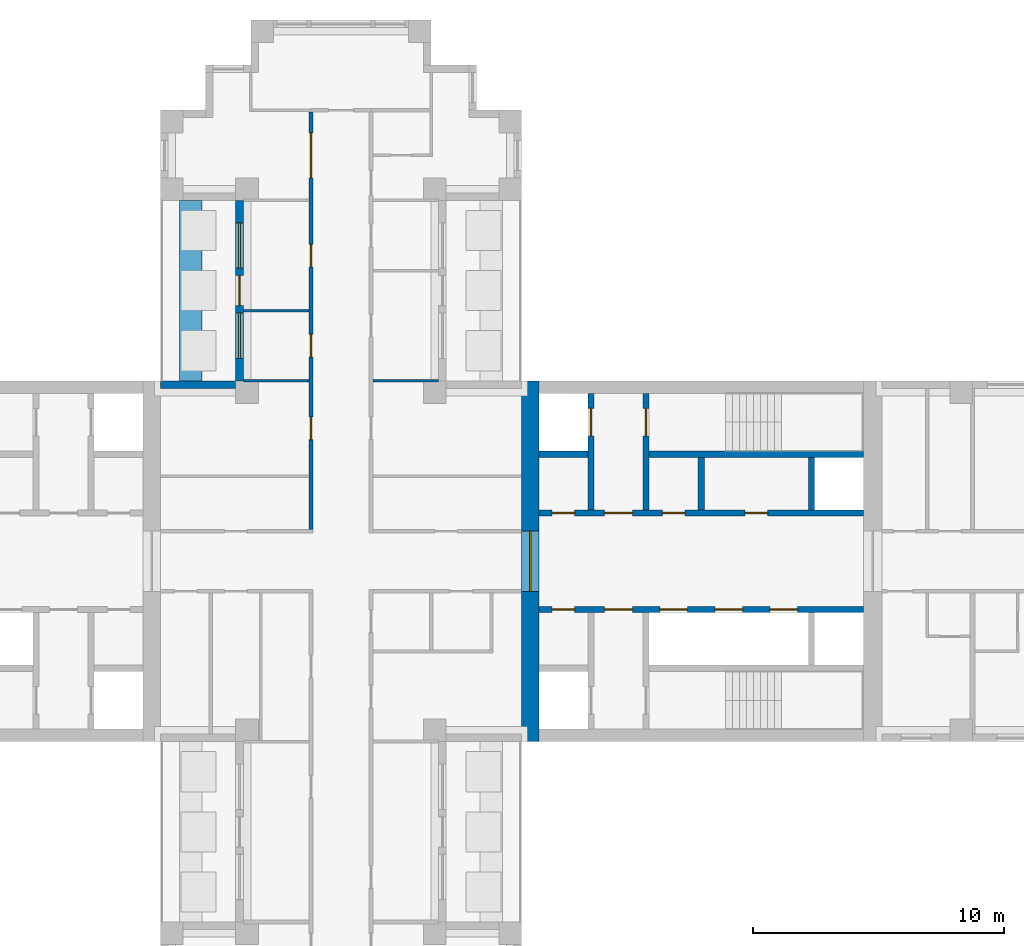
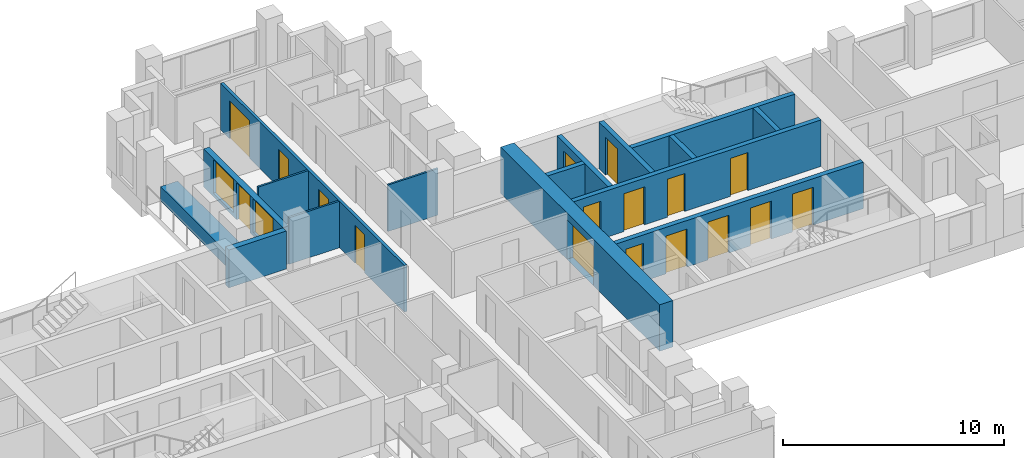
# One storey, part 8 of 13: 17 doors, 16 walls, 2 windows, 19 openings.
"""IFC4 building model written with IfcOpenShell, lengths in metres."""

from ifc_helpers import new_model, si_unit, direction, frame, frame_2d, origin, place, context, subcontext, project, spatial, rectangle, extrude, material, layer, layer_set, type_object, element, fill, save


model = new_model("IFC4")

# Units and contexts
model_context = context("Model", 3, precision=1e-05, world=origin(), true_north=direction((0.0, 1.0)))
body_context = subcontext(model_context, "Body", "Model", "MODEL_VIEW")
ifc_project = project(units=[si_unit("LENGTHUNIT", "METRE"), si_unit("AREAUNIT", "SQUARE_METRE"), si_unit("VOLUMEUNIT", "CUBIC_METRE"), si_unit("PLANEANGLEUNIT", "RADIAN"), si_unit("MASSUNIT", "GRAM", prefix="KILO")], contexts=[model_context])

# Site, building, storey
site_placement = place(None, origin())
site = spatial("IfcSite", under=ifc_project, at=site_placement, CompositionType="ELEMENT")
building_placement = place(site_placement, origin())
building = spatial("IfcBuilding", under=site, at=building_placement, Name="Fustian Cross Tower", CompositionType="ELEMENT")
storey_placement = place(building_placement, frame((0.0, 0.0, 105.89990234375)))
storey = spatial("IfcBuildingStorey", under=building, at=storey_placement, Name="L33", CompositionType="ELEMENT", Elevation=105.89990234375)

# Wall, openings, doors
ifc_material_1 = material(Name="Plasterboard on steel stud", Category="steel")
ifc_layer_1 = layer(ifc_material_1, 0.14990234375)
ifc_layer_set_1 = layer_set([ifc_layer_1], Name="Plasterboard on steel stud")
wall_type_1 = type_object("IfcWallType", Name="COMPARTMENT WALL 150 EI 60", PredefinedType="PARTITIONING", material=ifc_layer_set_1)
wall_1_placement = place(storey_placement, frame((-1.199951171875, 1.27490234375, 0.0), z_axis=(0.0, 0.0, 1.0), x_axis=(0.0, 1.0, 0.0)))
wall_1 = element("IfcWall", 1, at=wall_1_placement, inside=storey, type_object=wall_type_1, Name="Partition 41", PredefinedType="PARTITIONING", context=body_context, shape_type="SweptSolid", body=[
    extrude(rectangle(XDim=16.650146484375, YDim=0.14990234375, at=frame_2d((8.3251953125, 0.0))), origin(), (0.0, 0.0, 1.0), 2.5751953125),
])
opening_1_placement = place(wall_1_placement, frame((3.574951171875, 0.0, 0.0)))
opening_1 = element("IfcOpeningElement", 2, at=opening_1_placement, cuts=wall_1, Name="Opening D15004", PredefinedType="OPENING", context=body_context, shape_type="SweptSolid", body=[
    extrude(rectangle(XDim=0.89990234375, YDim=2.10009765625, at=frame_2d((0.449951171875, 1.050048828125))), frame((0.0, 0.0849609375, 0.0), z_axis=(0.0, -1.0, 0.0), x_axis=(1.0, 0.0, 0.0)), (0.0, 0.0, 1.0), 0.169921875),
])
opening_2_placement = place(wall_1_placement, frame((6.875, 0.0, 0.0)))
opening_2 = element("IfcOpeningElement", 3, at=opening_2_placement, cuts=wall_1, Name="Opening D15021", PredefinedType="OPENING", context=body_context, shape_type="SweptSolid", body=[
    extrude(rectangle(XDim=0.89990234375, YDim=2.10009765625, at=frame_2d((0.449951171875, 1.050048828125))), frame((0.0, 0.0849609375, 0.0), z_axis=(0.0, -1.0, 0.0), x_axis=(1.0, 0.0, 0.0)), (0.0, 0.0, 1.0), 0.169921875),
])
opening_3_placement = place(wall_1_placement, frame((10.47509765625, 0.0, 0.0)))
opening_3 = element("IfcOpeningElement", 4, at=opening_3_placement, cuts=wall_1, Name="Opening D15022", PredefinedType="OPENING", context=body_context, shape_type="SweptSolid", body=[
    extrude(rectangle(XDim=0.89990234375, YDim=2.10009765625, at=frame_2d((0.449951171875, 1.050048828125))), frame((0.0, 0.0849609375, 0.0), z_axis=(0.0, -1.0, 0.0), x_axis=(1.0, 0.0, 0.0)), (0.0, 0.0, 1.0), 0.169921875),
])
opening_4_placement = place(wall_1_placement, frame((14.02490234375, 0.0, 0.0)))
opening_4 = element("IfcOpeningElement", 5, at=opening_4_placement, cuts=wall_1, Name="Opening D15023", PredefinedType="OPENING", context=body_context, shape_type="SweptSolid", body=[
    extrude(rectangle(XDim=1.800048828125, YDim=2.10009765625, at=frame_2d((0.89990234375, 1.050048828125))), frame((0.0, 0.0849609375, 0.0), z_axis=(0.0, -1.0, 0.0), x_axis=(1.0, 0.0, 0.0)), (0.0, 0.0, 1.0), 0.169921875),
])
ifc_material_2 = material(Name="Timber fire door set", Category="wood")
door_type_1 = type_object("IfcDoorType", Name="FIRE DOUBLE DOOR 1800 FD30S", OperationType="DOUBLE_DOOR_DOUBLE_SWING", PredefinedType="DOOR", material=ifc_material_2)
door_1_placement = place(opening_4_placement, frame((1.800048828125, 0.0, 0.0), z_axis=(0.0, 0.0, 1.0), x_axis=(-1.0, 0.0, 0.0)))
door_1 = element("IfcDoor", 6, at=door_1_placement, inside=storey, type_object=door_type_1, Name="Door D15023", OperationType="DOUBLE_DOOR_DOUBLE_SWING", OverallHeight=2.10009765625, OverallWidth=1.800048828125, PredefinedType="DOOR", context=body_context, shape_type="SweptSolid", body=[
    extrude(rectangle(XDim=1.800048828125, YDim=2.10009765625, at=frame_2d((0.89990234375, 1.050048828125))), frame((0.0, 0.02490234375, 0.0), z_axis=(0.0, -1.0, 0.0), x_axis=(1.0, 0.0, 0.0)), (0.0, 0.0, 1.0), 0.050048828125),
])
fill(opening_4, door_1)
ifc_material_3 = material(Name="Timber fire door set", Category="wood")
door_type_2 = type_object("IfcDoorType", Name="FIRE SWING DOOR 900 FD30S", OperationType="SINGLE_SWING_LEFT", PredefinedType="DOOR", material=ifc_material_3)
door_2_placement = place(opening_1_placement, origin())
door_2 = element("IfcDoor", 7, at=door_2_placement, inside=storey, type_object=door_type_2, Name="Door D15004", OperationType="SINGLE_SWING_RIGHT", OverallHeight=2.10009765625, OverallWidth=0.89990234375, PredefinedType="DOOR", context=body_context, shape_type="SweptSolid", body=[
    extrude(rectangle(XDim=0.89990234375, YDim=2.10009765625, at=frame_2d((0.449951171875, 1.050048828125))), frame((0.0, 0.02490234375, 0.0), z_axis=(0.0, -1.0, 0.0), x_axis=(1.0, 0.0, 0.0)), (0.0, 0.0, 1.0), 0.050048828125),
])
fill(opening_1, door_2)
door_3_placement = place(opening_2_placement, origin())
door_3 = element("IfcDoor", 8, at=door_3_placement, inside=storey, type_object=door_type_2, Name="Door D15021", OperationType="SINGLE_SWING_LEFT", OverallHeight=2.10009765625, OverallWidth=0.89990234375, PredefinedType="DOOR", context=body_context, shape_type="SweptSolid", body=[
    extrude(rectangle(XDim=0.89990234375, YDim=2.10009765625, at=frame_2d((0.449951171875, 1.050048828125))), frame((0.0, 0.02490234375, 0.0), z_axis=(0.0, -1.0, 0.0), x_axis=(1.0, 0.0, 0.0)), (0.0, 0.0, 1.0), 0.050048828125),
])
fill(opening_2, door_3)
door_4_placement = place(opening_3_placement, origin())
door_4 = element("IfcDoor", 9, at=door_4_placement, inside=storey, type_object=door_type_2, Name="Door D15022", OperationType="SINGLE_SWING_LEFT", OverallHeight=2.10009765625, OverallWidth=0.89990234375, PredefinedType="DOOR", context=body_context, shape_type="SweptSolid", body=[
    extrude(rectangle(XDim=0.89990234375, YDim=2.10009765625, at=frame_2d((0.449951171875, 1.050048828125))), frame((0.0, 0.02490234375, 0.0), z_axis=(0.0, -1.0, 0.0), x_axis=(1.0, 0.0, 0.0)), (0.0, 0.0, 1.0), 0.050048828125),
])
fill(opening_3, door_4)

# Wall, opening, door
ifc_material_4 = material(Name="Concrete C70/85", Category="concrete")
ifc_layer_2 = layer(ifc_material_4, 0.699951171875)
ifc_layer_set_2 = layer_set([ifc_layer_2], Name="Concrete C70/85")
wall_type_2 = type_object("IfcWallType", Name="CORE END WALL 700 C70/85", PredefinedType="SHEAR", material=ifc_layer_set_2)
wall_2_placement = place(storey_placement, frame((7.550048828125, -7.199951171875, 0.0), z_axis=(0.0, 0.0, 1.0), x_axis=(0.0, 1.0, 0.0)))
wall_2 = element("IfcWall", 10, at=wall_2_placement, inside=storey, type_object=wall_type_2, Name="Core end wall", PredefinedType="SHEAR", context=body_context, shape_type="SweptSolid", body=[
    extrude(rectangle(XDim=14.39990234375, YDim=0.699951171875, at=frame_2d((7.199951171875, 0.0))), origin(), (0.0, 0.0, 1.0), 2.5751953125),
])
opening_5_placement = place(wall_2_placement, frame((6.0, 0.0, 0.0)))
opening_5 = element("IfcOpeningElement", 11, at=opening_5_placement, cuts=wall_2, Name="Opening CD-10-12", PredefinedType="OPENING", context=body_context, shape_type="SweptSolid", body=[
    extrude(rectangle(XDim=2.39990234375, YDim=2.199951171875, at=frame_2d((1.199951171875, 1.10009765625))), frame((0.0, 0.35986328125, 0.0), z_axis=(0.0, -1.0, 0.0), x_axis=(1.0, 0.0, 0.0)), (0.0, 0.0, 1.0), 0.719970703125),
])
ifc_material_5 = material(Name="Steel", Category="steel")
door_type_3 = type_object("IfcDoorType", Name="FIRE DOOR FD30S DOUBLE 2400X2200", OperationType="DOUBLE_DOOR_DOUBLE_SWING", PredefinedType="DOOR", material=ifc_material_5)
door_5_placement = place(opening_5_placement, frame((2.39990234375, 0.0, 0.0), z_axis=(0.0, 0.0, 1.0), x_axis=(-1.0, 0.0, 0.0)))
door_5 = element("IfcDoor", 12, at=door_5_placement, inside=storey, type_object=door_type_3, Name="Core door CD-10-12", OperationType="DOUBLE_DOOR_DOUBLE_SWING", OverallHeight=2.199951171875, OverallWidth=2.39990234375, PredefinedType="DOOR", context=body_context, shape_type="SweptSolid", body=[
    extrude(rectangle(XDim=2.39990234375, YDim=2.199951171875, at=frame_2d((1.199951171875, 1.10009765625))), frame((0.0, 0.02490234375, 0.0), z_axis=(0.0, -1.0, 0.0), x_axis=(1.0, 0.0, 0.0)), (0.0, 0.0, 1.0), 0.050048828125),
])
fill(opening_5, door_5)

# Wall, openings, doors
ifc_material_6 = material(Name="Concrete C50/60", Category="concrete")
ifc_layer_3 = layer(ifc_material_6, 0.25)
ifc_layer_set_3 = layer_set([ifc_layer_3], Name="Concrete C50/60")
wall_type_3 = type_object("IfcWallType", Name="CORE LOBBY WALL 250 C50/60", PredefinedType="SHEAR", material=ifc_layer_set_3)
wall_3_placement = place(storey_placement, frame((7.89990234375, 1.925048828125, 0.0), z_axis=(0.0, 0.0, 1.0), x_axis=(1.0, 0.0, 0.0)))
wall_3 = element("IfcWall", 13, at=wall_3_placement, inside=storey, type_object=wall_type_3, Name="Core lobby wall", PredefinedType="SHEAR", context=body_context, shape_type="SweptSolid", body=[
    extrude(rectangle(XDim=12.9501953125, YDim=0.25, at=frame_2d((6.47509765625, 0.0))), origin(), (0.0, 0.0, 1.0), 2.5751953125),
])
opening_6_placement = place(wall_3_placement, frame((0.52490234375, 0.0, 0.0)))
opening_6 = element("IfcOpeningElement", 14, at=opening_6_placement, cuts=wall_3, Name="Opening CD-10-08", PredefinedType="OPENING", context=body_context, shape_type="SweptSolid", body=[
    extrude(rectangle(XDim=0.89990234375, YDim=2.10009765625, at=frame_2d((0.449951171875, 1.050048828125))), frame((0.0, 0.135009765625, 0.0), z_axis=(0.0, -1.0, 0.0), x_axis=(1.0, 0.0, 0.0)), (0.0, 0.0, 1.0), 0.27001953125),
])
opening_7_placement = place(wall_3_placement, frame((2.625, 0.0, 0.0)))
opening_7 = element("IfcOpeningElement", 15, at=opening_7_placement, cuts=wall_3, Name="Opening CD-10-10", PredefinedType="OPENING", context=body_context, shape_type="SweptSolid", body=[
    extrude(rectangle(XDim=1.10009765625, YDim=2.10009765625, at=frame_2d((0.550048828125, 1.050048828125))), frame((0.0, 0.135009765625, 0.0), z_axis=(0.0, -1.0, 0.0), x_axis=(1.0, 0.0, 0.0)), (0.0, 0.0, 1.0), 0.27001953125),
])
opening_8_placement = place(wall_3_placement, frame((4.925048828125, 0.0, 0.0)))
opening_8 = element("IfcOpeningElement", 16, at=opening_8_placement, cuts=wall_3, Name="Opening CD-10-14", PredefinedType="OPENING", context=body_context, shape_type="SweptSolid", body=[
    extrude(rectangle(XDim=0.89990234375, YDim=2.10009765625, at=frame_2d((0.449951171875, 1.050048828125))), frame((0.0, 0.135009765625, 0.0), z_axis=(0.0, -1.0, 0.0), x_axis=(1.0, 0.0, 0.0)), (0.0, 0.0, 1.0), 0.27001953125),
])
opening_9_placement = place(wall_3_placement, frame((8.22509765625, 0.0, 0.0)))
opening_9 = element("IfcOpeningElement", 17, at=opening_9_placement, cuts=wall_3, Name="Opening CD-10-15", PredefinedType="OPENING", context=body_context, shape_type="SweptSolid", body=[
    extrude(rectangle(XDim=0.89990234375, YDim=2.10009765625, at=frame_2d((0.449951171875, 1.050048828125))), frame((0.0, 0.135009765625, 0.0), z_axis=(0.0, -1.0, 0.0), x_axis=(1.0, 0.0, 0.0)), (0.0, 0.0, 1.0), 0.27001953125),
])
ifc_material_7 = material(Name="Steel", Category="steel")
door_type_4 = type_object("IfcDoorType", Name="FIRE DOOR FD30S 900X2100", OperationType="SINGLE_SWING_LEFT", PredefinedType="DOOR", material=ifc_material_7)
door_6_placement = place(opening_8_placement, origin())
door_6 = element("IfcDoor", 18, at=door_6_placement, inside=storey, type_object=door_type_4, Name="Core door CD-10-14", OperationType="SINGLE_SWING_LEFT", OverallHeight=2.10009765625, OverallWidth=0.89990234375, PredefinedType="DOOR", context=body_context, shape_type="SweptSolid", body=[
    extrude(rectangle(XDim=0.89990234375, YDim=2.10009765625, at=frame_2d((0.449951171875, 1.050048828125))), frame((0.0, 0.02490234375, 0.0), z_axis=(0.0, -1.0, 0.0), x_axis=(1.0, 0.0, 0.0)), (0.0, 0.0, 1.0), 0.050048828125),
])
fill(opening_8, door_6)
door_7_placement = place(opening_9_placement, origin())
door_7 = element("IfcDoor", 19, at=door_7_placement, inside=storey, type_object=door_type_4, Name="Core door CD-10-15", OperationType="SINGLE_SWING_RIGHT", OverallHeight=2.10009765625, OverallWidth=0.89990234375, PredefinedType="DOOR", context=body_context, shape_type="SweptSolid", body=[
    extrude(rectangle(XDim=0.89990234375, YDim=2.10009765625, at=frame_2d((0.449951171875, 1.050048828125))), frame((0.0, 0.02490234375, 0.0), z_axis=(0.0, -1.0, 0.0), x_axis=(1.0, 0.0, 0.0)), (0.0, 0.0, 1.0), 0.050048828125),
])
fill(opening_9, door_7)
ifc_material_8 = material(Name="Steel", Category="steel")
door_type_5 = type_object("IfcDoorType", Name="FIRE DOOR FD60S 1100X2100", OperationType="SINGLE_SWING_LEFT", PredefinedType="DOOR", material=ifc_material_8)
door_8_placement = place(opening_7_placement, frame((1.10009765625, 0.0, 0.0), z_axis=(0.0, 0.0, 1.0), x_axis=(-1.0, 0.0, 0.0)))
door_8 = element("IfcDoor", 20, at=door_8_placement, inside=storey, type_object=door_type_5, Name="Core door CD-10-10", OperationType="SINGLE_SWING_RIGHT", OverallHeight=2.10009765625, OverallWidth=1.10009765625, PredefinedType="DOOR", context=body_context, shape_type="SweptSolid", body=[
    extrude(rectangle(XDim=1.10009765625, YDim=2.10009765625, at=frame_2d((0.550048828125, 1.050048828125))), frame((0.0, 0.02490234375, 0.0), z_axis=(0.0, -1.0, 0.0), x_axis=(1.0, 0.0, 0.0)), (0.0, 0.0, 1.0), 0.050048828125),
])
fill(opening_7, door_8)
ifc_material_9 = material(Name="Steel", Category="steel")
door_type_6 = type_object("IfcDoorType", Name="FIRE DOOR FD60S 900X2100", OperationType="SINGLE_SWING_LEFT", PredefinedType="DOOR", material=ifc_material_9)
door_9_placement = place(opening_6_placement, origin())
door_9 = element("IfcDoor", 21, at=door_9_placement, inside=storey, type_object=door_type_6, Name="Core door CD-10-08", OperationType="SINGLE_SWING_LEFT", OverallHeight=2.10009765625, OverallWidth=0.89990234375, PredefinedType="DOOR", context=body_context, shape_type="SweptSolid", body=[
    extrude(rectangle(XDim=0.89990234375, YDim=2.10009765625, at=frame_2d((0.449951171875, 1.050048828125))), frame((0.0, 0.02490234375, 0.0), z_axis=(0.0, -1.0, 0.0), x_axis=(1.0, 0.0, 0.0)), (0.0, 0.0, 1.0), 0.050048828125),
])
fill(opening_6, door_9)

wall_4_placement = place(storey_placement, frame((7.89990234375, -1.925048828125, 0.0), z_axis=(0.0, 0.0, 1.0), x_axis=(1.0, 0.0, 0.0)))
wall_4 = element("IfcWall", 22, at=wall_4_placement, inside=storey, type_object=wall_type_3, Name="Core lobby wall", PredefinedType="SHEAR", context=body_context, shape_type="SweptSolid", body=[
    extrude(rectangle(XDim=12.9501953125, YDim=0.25, at=frame_2d((6.47509765625, 0.0))), origin(), (0.0, 0.0, 1.0), 2.5751953125),
])
opening_10_placement = place(wall_4_placement, frame((4.824951171875, 0.0, 0.0)))
opening_10 = element("IfcOpeningElement", 23, at=opening_10_placement, cuts=wall_4, Name="Opening LD", PredefinedType="OPENING", context=body_context, shape_type="SweptSolid", body=[
    extrude(rectangle(XDim=1.10009765625, YDim=2.10009765625, at=frame_2d((0.550048828125, 1.050048828125))), frame((0.0, 0.135009765625, 0.0), z_axis=(0.0, -1.0, 0.0), x_axis=(1.0, 0.0, 0.0)), (0.0, 0.0, 1.0), 0.27001953125),
])
opening_11_placement = place(wall_4_placement, frame((7.02490234375, 0.0, 0.0)))
opening_11 = element("IfcOpeningElement", 24, at=opening_11_placement, cuts=wall_4, Name="Opening LD", PredefinedType="OPENING", context=body_context, shape_type="SweptSolid", body=[
    extrude(rectangle(XDim=1.10009765625, YDim=2.10009765625, at=frame_2d((0.550048828125, 1.050048828125))), frame((0.0, 0.135009765625, 0.0), z_axis=(0.0, -1.0, 0.0), x_axis=(1.0, 0.0, 0.0)), (0.0, 0.0, 1.0), 0.27001953125),
])
opening_12_placement = place(wall_4_placement, frame((9.22509765625, 0.0, 0.0)))
opening_12 = element("IfcOpeningElement", 25, at=opening_12_placement, cuts=wall_4, Name="Opening LD", PredefinedType="OPENING", context=body_context, shape_type="SweptSolid", body=[
    extrude(rectangle(XDim=1.10009765625, YDim=2.10009765625, at=frame_2d((0.550048828125, 1.050048828125))), frame((0.0, 0.135009765625, 0.0), z_axis=(0.0, -1.0, 0.0), x_axis=(1.0, 0.0, 0.0)), (0.0, 0.0, 1.0), 0.27001953125),
])
opening_13_placement = place(wall_4_placement, frame((0.52490234375, 0.0, 0.0)))
opening_13 = element("IfcOpeningElement", 26, at=opening_13_placement, cuts=wall_4, Name="Opening CD-10-09", PredefinedType="OPENING", context=body_context, shape_type="SweptSolid", body=[
    extrude(rectangle(XDim=0.89990234375, YDim=2.10009765625, at=frame_2d((0.449951171875, 1.050048828125))), frame((0.0, 0.135009765625, 0.0), z_axis=(0.0, -1.0, 0.0), x_axis=(1.0, 0.0, 0.0)), (0.0, 0.0, 1.0), 0.27001953125),
])
opening_14_placement = place(wall_4_placement, frame((2.625, 0.0, 0.0)))
opening_14 = element("IfcOpeningElement", 27, at=opening_14_placement, cuts=wall_4, Name="Opening CD-10-11", PredefinedType="OPENING", context=body_context, shape_type="SweptSolid", body=[
    extrude(rectangle(XDim=1.10009765625, YDim=2.10009765625, at=frame_2d((0.550048828125, 1.050048828125))), frame((0.0, 0.135009765625, 0.0), z_axis=(0.0, -1.0, 0.0), x_axis=(1.0, 0.0, 0.0)), (0.0, 0.0, 1.0), 0.27001953125),
])
ifc_material_10 = material(Name="Steel", Category="steel")
door_type_7 = type_object("IfcDoorType", Name="FIRE DOOR FD30S 1100X2100", OperationType="SINGLE_SWING_LEFT", PredefinedType="DOOR", material=ifc_material_10)
door_10_placement = place(opening_14_placement, frame((1.10009765625, 0.0, 0.0), z_axis=(0.0, 0.0, 1.0), x_axis=(-1.0, 0.0, 0.0)))
door_10 = element("IfcDoor", 28, at=door_10_placement, inside=storey, type_object=door_type_7, Name="Core door CD-10-11", OperationType="SINGLE_SWING_RIGHT", OverallHeight=2.10009765625, OverallWidth=1.10009765625, PredefinedType="DOOR", context=body_context, shape_type="SweptSolid", body=[
    extrude(rectangle(XDim=1.10009765625, YDim=2.10009765625, at=frame_2d((0.550048828125, 1.050048828125))), frame((0.0, 0.02490234375, 0.0), z_axis=(0.0, -1.0, 0.0), x_axis=(1.0, 0.0, 0.0)), (0.0, 0.0, 1.0), 0.050048828125),
])
fill(opening_14, door_10)
door_11_placement = place(opening_13_placement, frame((0.89990234375, 0.0, 0.0), z_axis=(0.0, 0.0, 1.0), x_axis=(-1.0, 0.0, 0.0)))
door_11 = element("IfcDoor", 29, at=door_11_placement, inside=storey, type_object=door_type_4, Name="Core door CD-10-09", OperationType="SINGLE_SWING_RIGHT", OverallHeight=2.10009765625, OverallWidth=0.89990234375, PredefinedType="DOOR", context=body_context, shape_type="SweptSolid", body=[
    extrude(rectangle(XDim=0.89990234375, YDim=2.10009765625, at=frame_2d((0.449951171875, 1.050048828125))), frame((0.0, 0.02490234375, 0.0), z_axis=(0.0, -1.0, 0.0), x_axis=(1.0, 0.0, 0.0)), (0.0, 0.0, 1.0), 0.050048828125),
])
fill(opening_13, door_11)
ifc_material_11 = material(Name="Stainless steel", Category="steel")
door_type_8 = type_object("IfcDoorType", Name="LIFT LANDING DOOR 1100X2100", OperationType="SLIDING_TO_LEFT", PredefinedType="DOOR", material=ifc_material_11)
door_12_placement = place(opening_10_placement, origin())
door_12 = element("IfcDoor", 30, at=door_12_placement, inside=storey, type_object=door_type_8, Name="Landing door LR1", OperationType="SLIDING_TO_LEFT", OverallHeight=2.10009765625, OverallWidth=1.10009765625, PredefinedType="DOOR", context=body_context, shape_type="SweptSolid", body=[
    extrude(rectangle(XDim=1.10009765625, YDim=2.10009765625, at=frame_2d((0.550048828125, 1.050048828125))), frame((0.0, 0.02490234375, 0.0), z_axis=(0.0, -1.0, 0.0), x_axis=(1.0, 0.0, 0.0)), (0.0, 0.0, 1.0), 0.050048828125),
])
fill(opening_10, door_12)
door_13_placement = place(opening_11_placement, origin())
door_13 = element("IfcDoor", 31, at=door_13_placement, inside=storey, type_object=door_type_8, Name="Landing door LR2", OperationType="SLIDING_TO_LEFT", OverallHeight=2.10009765625, OverallWidth=1.10009765625, PredefinedType="DOOR", context=body_context, shape_type="SweptSolid", body=[
    extrude(rectangle(XDim=1.10009765625, YDim=2.10009765625, at=frame_2d((0.550048828125, 1.050048828125))), frame((0.0, 0.02490234375, 0.0), z_axis=(0.0, -1.0, 0.0), x_axis=(1.0, 0.0, 0.0)), (0.0, 0.0, 1.0), 0.050048828125),
])
fill(opening_11, door_13)
door_14_placement = place(opening_12_placement, origin())
door_14 = element("IfcDoor", 32, at=door_14_placement, inside=storey, type_object=door_type_8, Name="Landing door LR3", OperationType="SLIDING_TO_LEFT", OverallHeight=2.10009765625, OverallWidth=1.10009765625, PredefinedType="DOOR", context=body_context, shape_type="SweptSolid", body=[
    extrude(rectangle(XDim=1.10009765625, YDim=2.10009765625, at=frame_2d((0.550048828125, 1.050048828125))), frame((0.0, 0.02490234375, 0.0), z_axis=(0.0, -1.0, 0.0), x_axis=(1.0, 0.0, 0.0)), (0.0, 0.0, 1.0), 0.050048828125),
])
fill(opening_12, door_14)

# Walls
ifc_material_12 = material(Name="Concrete C50/60", Category="concrete")
ifc_layer_4 = layer(ifc_material_12, 0.25)
ifc_layer_set_4 = layer_set([ifc_layer_4], Name="Concrete C50/60")
wall_type_4 = type_object("IfcWallType", Name="CORE SHAFT WALL 250 C50/60", PredefinedType="SHEAR", material=ifc_layer_set_4)
wall_5_placement = place(storey_placement, frame((7.89990234375, 4.27490234375, 0.0), z_axis=(0.0, 0.0, 1.0), x_axis=(1.0, 0.0, 0.0)))
element("IfcWall", 33, at=wall_5_placement, inside=storey, type_object=wall_type_4, Name="Core shaft wall", PredefinedType="SHEAR", context=body_context, shape_type="SweptSolid", body=[
    extrude(rectangle(XDim=1.9501953125, YDim=0.25, at=frame_2d((0.97509765625, 0.0))), origin(), (0.0, 0.0, 1.0), 2.5751953125),
])
wall_6_placement = place(storey_placement, frame((12.300048828125, 4.27490234375, 0.0), z_axis=(0.0, 0.0, 1.0), x_axis=(1.0, 0.0, 0.0)))
element("IfcWall", 34, at=wall_6_placement, inside=storey, type_object=wall_type_4, Name="Core shaft wall", PredefinedType="SHEAR", context=body_context, shape_type="SweptSolid", body=[
    extrude(rectangle(XDim=8.550048828125, YDim=0.25, at=frame_2d((4.27490234375, 0.0))), origin(), (0.0, 0.0, 1.0), 2.5751953125),
])

# Wall, opening, door
wall_7_placement = place(storey_placement, frame((9.97509765625, 2.050048828125, 0.0), z_axis=(0.0, 0.0, 1.0), x_axis=(0.0, 1.0, 0.0)))
wall_7 = element("IfcWall", 35, at=wall_7_placement, inside=storey, type_object=wall_type_4, Name="Core shaft wall", PredefinedType="SHEAR", context=body_context, shape_type="SweptSolid", body=[
    extrude(rectangle(XDim=4.64990234375, YDim=0.25, at=frame_2d((2.324951171875, 0.0))), origin(), (0.0, 0.0, 1.0), 2.5751953125),
])
opening_15_placement = place(wall_7_placement, frame((2.949951171875, 0.0, 0.0)))
opening_15 = element("IfcOpeningElement", 36, at=opening_15_placement, cuts=wall_7, Name="Opening LD", PredefinedType="OPENING", context=body_context, shape_type="SweptSolid", body=[
    extrude(rectangle(XDim=1.10009765625, YDim=2.10009765625, at=frame_2d((0.550048828125, 1.050048828125))), frame((0.0, 0.135009765625, 0.0), z_axis=(0.0, -1.0, 0.0), x_axis=(1.0, 0.0, 0.0)), (0.0, 0.0, 1.0), 0.27001953125),
])
door_15_placement = place(opening_15_placement, origin())
door_15 = element("IfcDoor", 37, at=door_15_placement, inside=storey, type_object=door_type_8, Name="Landing door FL1", OperationType="SLIDING_TO_LEFT", OverallHeight=2.10009765625, OverallWidth=1.10009765625, PredefinedType="DOOR", context=body_context, shape_type="SweptSolid", body=[
    extrude(rectangle(XDim=1.10009765625, YDim=2.10009765625, at=frame_2d((0.550048828125, 1.050048828125))), frame((0.0, 0.02490234375, 0.0), z_axis=(0.0, -1.0, 0.0), x_axis=(1.0, 0.0, 0.0)), (0.0, 0.0, 1.0), 0.050048828125),
])
fill(opening_15, door_15)

wall_8_placement = place(storey_placement, frame((12.175048828125, 2.050048828125, 0.0), z_axis=(0.0, 0.0, 1.0), x_axis=(0.0, 1.0, 0.0)))
wall_8 = element("IfcWall", 38, at=wall_8_placement, inside=storey, type_object=wall_type_4, Name="Core shaft wall", PredefinedType="SHEAR", context=body_context, shape_type="SweptSolid", body=[
    extrude(rectangle(XDim=4.64990234375, YDim=0.25, at=frame_2d((2.324951171875, 0.0))), origin(), (0.0, 0.0, 1.0), 2.5751953125),
])
opening_16_placement = place(wall_8_placement, frame((2.949951171875, 0.0, 0.0)))
opening_16 = element("IfcOpeningElement", 39, at=opening_16_placement, cuts=wall_8, Name="Opening CD-10-06", PredefinedType="OPENING", context=body_context, shape_type="SweptSolid", body=[
    extrude(rectangle(XDim=1.10009765625, YDim=2.10009765625, at=frame_2d((0.550048828125, 1.050048828125))), frame((0.0, 0.135009765625, 0.0), z_axis=(0.0, -1.0, 0.0), x_axis=(1.0, 0.0, 0.0)), (0.0, 0.0, 1.0), 0.27001953125),
])
door_16_placement = place(opening_16_placement, frame((1.10009765625, 0.0, 0.0), z_axis=(0.0, 0.0, 1.0), x_axis=(-1.0, 0.0, 0.0)))
door_16 = element("IfcDoor", 40, at=door_16_placement, inside=storey, type_object=door_type_5, Name="Core door CD-10-06", OperationType="SINGLE_SWING_RIGHT", OverallHeight=2.10009765625, OverallWidth=1.10009765625, PredefinedType="DOOR", context=body_context, shape_type="SweptSolid", body=[
    extrude(rectangle(XDim=1.10009765625, YDim=2.10009765625, at=frame_2d((0.550048828125, 1.050048828125))), frame((0.0, 0.02490234375, 0.0), z_axis=(0.0, -1.0, 0.0), x_axis=(1.0, 0.0, 0.0)), (0.0, 0.0, 1.0), 0.050048828125),
])
fill(opening_16, door_16)

# Walls
ifc_material_13 = material(Name="Plasterboard on steel stud", Category="steel")
ifc_layer_5 = layer(ifc_material_13, 0.10009765625)
ifc_layer_set_5 = layer_set([ifc_layer_5], Name="Plasterboard on steel stud")
wall_type_5 = type_object("IfcWallType", Name="PARTITION 100 STUD", PredefinedType="PARTITIONING", material=ifc_layer_set_5)
for number, where, z_axis, x_axis, name in (
    (41, (-3.89990234375, 7.199951171875, 0.0), (0.0, 0.0, 1.0), (1.0, 0.0, 0.0), "Partition 33"),
    (42, (-3.89990234375, 10.0, 0.0), (0.0, 0.0, 1.0), (1.0, 0.0, 0.0), "Partition 34"),
    (43, (1.27490234375, 7.199951171875, 0.0), (0.0, 0.0, 1.0), (1.0, 0.0, 0.0), "Partition 54"),
):
    element("IfcWall", number, at=place(storey_placement, frame(where, z_axis=z_axis, x_axis=x_axis)), inside=storey, type_object=wall_type_5, Name=name, PredefinedType="PARTITIONING", context=body_context, shape_type="SweptSolid", body=[
        extrude(rectangle(XDim=2.625, YDim=0.10009765625, at=frame_2d((1.3125, 0.0))), origin(), (0.0, 0.0, 1.0), 2.5751953125),
    ])
ifc_material_14 = material(Name="Concrete C40/50", Category="concrete")
ifc_layer_6 = layer(ifc_material_14, 0.89990234375)
ifc_layer_set_6 = layer_set([ifc_layer_6], Name="Concrete C40/50")
wall_type_6 = type_object("IfcWallType", Name="PK1 PLANTER 900", PredefinedType="PARAPET", material=ifc_layer_set_6)
wall_9_placement = place(storey_placement, frame((-6.0, 7.199951171875, 0.0), z_axis=(0.0, 0.0, 1.0), x_axis=(0.0, 1.0, 0.0)))
element("IfcWall", 44, at=wall_9_placement, inside=storey, type_object=wall_type_6, Name="PLANTER", PredefinedType="PARAPET", context=body_context, shape_type="SweptSolid", body=[
    extrude(rectangle(XDim=7.199951171875, YDim=0.89990234375, at=frame_2d((3.60009765625, 0.0))), origin(), (0.0, 0.0, 1.0), 0.800048828125),
])
ifc_material_15 = material(Name="Concrete C40/50", Category="concrete")
ifc_layer_7 = layer(ifc_material_15, 0.25)
ifc_layer_set_7 = layer_set([ifc_layer_7], Name="Concrete C40/50")
wall_type_7 = type_object("IfcWallType", Name="SHAFT PARTITION WALL 250 C40/50", PredefinedType="PARTITIONING", material=ifc_layer_set_7)
for number, where, z_axis, x_axis, name in (
    (45, (14.375, 2.050048828125, 0.0), (0.0, 0.0, 1.0), (0.0, 1.0, 0.0), "Core shaft wall"),
    (46, (18.77490234375, 2.050048828125, 0.0), (0.0, 0.0, 1.0), (0.0, 1.0, 0.0), "Core shaft wall"),
):
    element("IfcWall", number, at=place(storey_placement, frame(where, z_axis=z_axis, x_axis=x_axis)), inside=storey, type_object=wall_type_7, Name=name, PredefinedType="PARTITIONING", context=body_context, shape_type="SweptSolid", body=[
        extrude(rectangle(XDim=2.099853515625, YDim=0.25, at=frame_2d((1.0498046875, 0.0))), origin(), (0.0, 0.0, 1.0), 2.5751953125),
    ])

# Wall, openings, door, windows
ifc_material_16 = material(Name="Dark aluminium cladding on insulated backing wall", Category="aluminium")
ifc_layer_8 = layer(ifc_material_16, 0.300048828125)
ifc_layer_set_8 = layer_set([ifc_layer_8], Name="Dark aluminium cladding on insulated backing wall")
wall_type_8 = type_object("IfcWallType", Name="XW1 EXTERNAL WALL 300", PredefinedType="SOLIDWALL", material=ifc_layer_set_8)
wall_10_placement = place(storey_placement, frame((-4.050048828125, 14.39990234375, 0.0), z_axis=(0.0, 0.0, 1.0), x_axis=(0.0, -1.0, 0.0)))
wall_10 = element("IfcWall", 47, at=wall_10_placement, inside=storey, type_object=wall_type_8, Name="External wall", PredefinedType="SOLIDWALL", context=body_context, shape_type="SweptSolid", body=[
    extrude(rectangle(XDim=7.199951171875, YDim=0.300048828125, at=frame_2d((3.60009765625, 0.0))), origin(), (0.0, 0.0, 1.0), 2.10009765625),
])
opening_17_placement = place(wall_10_placement, frame((3.0, 0.0, 0.0)))
opening_17 = element("IfcOpeningElement", 48, at=opening_17_placement, cuts=wall_10, Name="Opening XD2", PredefinedType="OPENING", context=body_context, shape_type="SweptSolid", body=[
    extrude(rectangle(XDim=1.199951171875, YDim=2.050048828125, at=frame_2d((0.60009765625, 1.02490234375))), frame((0.0, 0.159912109375, 0.0), z_axis=(0.0, -1.0, 0.0), x_axis=(1.0, 0.0, 0.0)), (0.0, 0.0, 1.0), 0.320068359375),
])
opening_18_placement = place(wall_10_placement, frame((0.89990234375, 0.0, 0.199951171875)))
opening_18 = element("IfcOpeningElement", 49, at=opening_18_placement, cuts=wall_10, Name="Opening WN2", PredefinedType="OPENING", context=body_context, shape_type="SweptSolid", body=[
    extrude(rectangle(XDim=1.800048828125, YDim=1.85009765625, at=frame_2d((0.89990234375, 0.925048828125))), frame((0.0, 0.159912109375, 0.0), z_axis=(0.0, -1.0, 0.0), x_axis=(1.0, 0.0, 0.0)), (0.0, 0.0, 1.0), 0.320068359375),
])
opening_19_placement = place(wall_10_placement, frame((4.5, 0.0, 0.199951171875)))
opening_19 = element("IfcOpeningElement", 50, at=opening_19_placement, cuts=wall_10, Name="Opening WN2", PredefinedType="OPENING", context=body_context, shape_type="SweptSolid", body=[
    extrude(rectangle(XDim=1.800048828125, YDim=1.85009765625, at=frame_2d((0.89990234375, 0.925048828125))), frame((0.0, 0.159912109375, 0.0), z_axis=(0.0, -1.0, 0.0), x_axis=(1.0, 0.0, 0.0)), (0.0, 0.0, 1.0), 0.320068359375),
])
ifc_material_17 = material(Name="Dark anodised aluminium and double glazing", Category="aluminium")
door_type_9 = type_object("IfcDoorType", Name="ED1 BALCONY DOOR 1200X2050", OperationType="SINGLE_SWING_LEFT", PredefinedType="DOOR", material=ifc_material_17)
door_17_placement = place(opening_17_placement, origin())
door_17 = element("IfcDoor", 51, at=door_17_placement, inside=storey, type_object=door_type_9, Name="Balcony door", OperationType="SINGLE_SWING_LEFT", OverallHeight=2.050048828125, OverallWidth=1.199951171875, PredefinedType="DOOR", context=body_context, shape_type="SweptSolid", body=[
    extrude(rectangle(XDim=1.199951171875, YDim=2.050048828125, at=frame_2d((0.60009765625, 1.02490234375))), frame((0.0, 0.02490234375, 0.0), z_axis=(0.0, -1.0, 0.0), x_axis=(1.0, 0.0, 0.0)), (0.0, 0.0, 1.0), 0.050048828125),
])
fill(opening_17, door_17)
ifc_material_18 = material(Name="Dark anodised aluminium and double glazing", Category="aluminium")
window_type = type_object("IfcWindowType", Name="WN2 WINDOW 1800X1850", PartitioningType="SINGLE_PANEL", PredefinedType="WINDOW", material=ifc_material_18)
window_1_placement = place(opening_18_placement, origin())
window_1 = element("IfcWindow", 52, at=window_1_placement, inside=storey, type_object=window_type, Name="Window", OverallHeight=1.85009765625, OverallWidth=1.800048828125, PartitioningType="SINGLE_PANEL", PredefinedType="WINDOW", context=body_context, shape_type="SweptSolid", body=[
    extrude(rectangle(XDim=1.800048828125, YDim=1.85009765625, at=frame_2d((0.89990234375, 0.925048828125))), frame((0.0, 0.030029296875, 0.0), z_axis=(0.0, -1.0, 0.0), x_axis=(1.0, 0.0, 0.0)), (0.0, 0.0, 1.0), 0.06005859375),
])
fill(opening_18, window_1)
window_2_placement = place(opening_19_placement, origin())
window_2 = element("IfcWindow", 53, at=window_2_placement, inside=storey, type_object=window_type, Name="Window", OverallHeight=1.85009765625, OverallWidth=1.800048828125, PartitioningType="SINGLE_PANEL", PredefinedType="WINDOW", context=body_context, shape_type="SweptSolid", body=[
    extrude(rectangle(XDim=1.800048828125, YDim=1.85009765625, at=frame_2d((0.89990234375, 0.925048828125))), frame((0.0, 0.030029296875, 0.0), z_axis=(0.0, -1.0, 0.0), x_axis=(1.0, 0.0, 0.0)), (0.0, 0.0, 1.0), 0.06005859375),
])
fill(opening_19, window_2)

# Wall
wall_11_placement = place(storey_placement, frame((-4.199951171875, 7.050048828125, 0.0), z_axis=(0.0, 0.0, 1.0), x_axis=(-1.0, 0.0, 0.0)))
element("IfcWall", 54, at=wall_11_placement, inside=storey, type_object=wall_type_8, Name="External wall", PredefinedType="SOLIDWALL", context=body_context, shape_type="SweptSolid", body=[
    extrude(rectangle(XDim=3.0, YDim=0.300048828125, at=frame_2d((1.5, 0.0))), origin(), (0.0, 0.0, 1.0), 2.10009765625),
])

save(model, "model.ifc")
